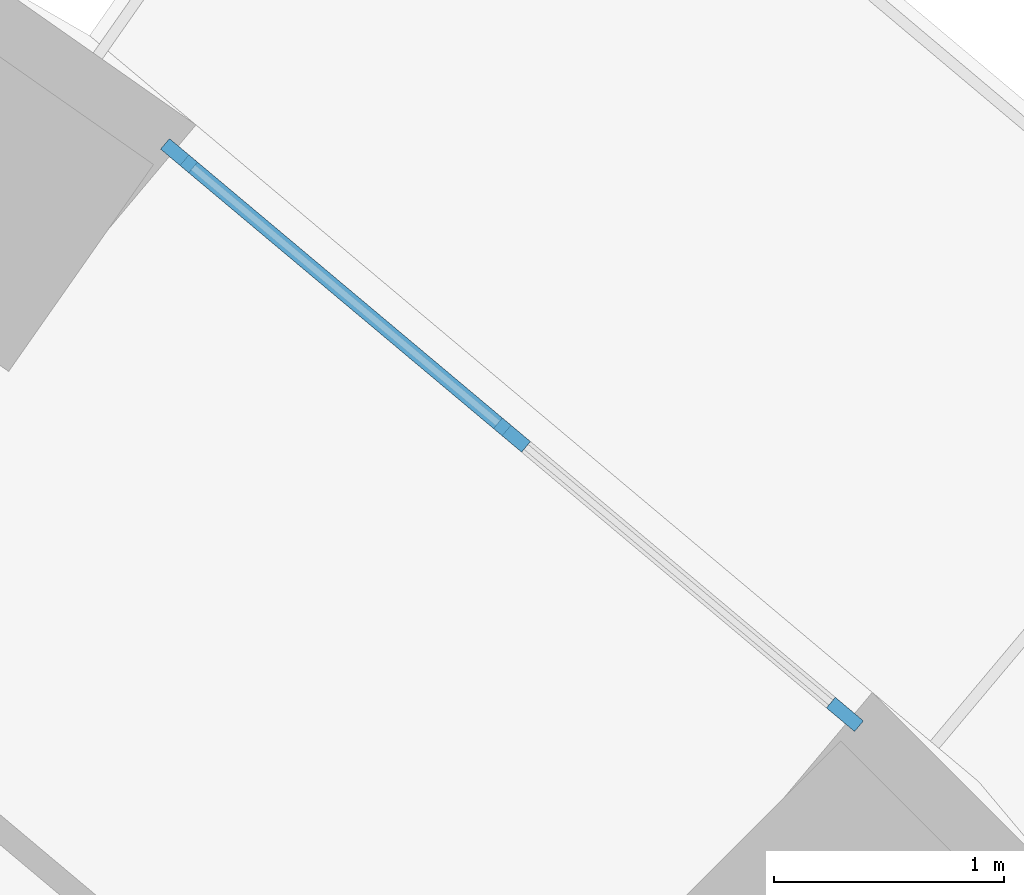
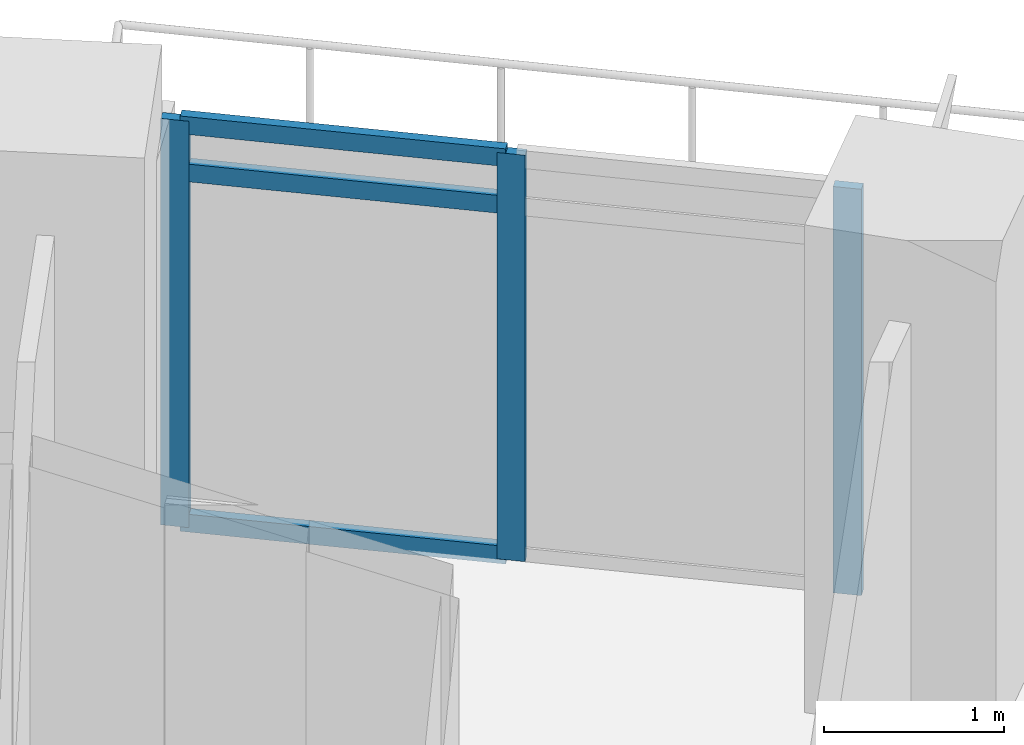
# One storey, part 2 of 15: 6 members, 1 element without a shape of its own.
"""IFC4 building model written with IfcOpenShell, lengths in metres."""

from ifc_helpers import new_model, si_unit, direction, frame, origin, origin_2d, place, context, subcontext, project, spatial, rectangle, extrude, material, layer, layer_set, material_profile, profile_set, type_object, element, aggregate, save


model = new_model("IFC4")

# Units and contexts
model_context = context("Model", 3, precision=1e-05, world=origin(), true_north=direction((0.0, 1.0)))
body_context = subcontext(model_context, "Body", "Model", "MODEL_VIEW")
ifc_project = project(units=[si_unit("LENGTHUNIT", "METRE"), si_unit("AREAUNIT", "SQUARE_METRE"), si_unit("VOLUMEUNIT", "CUBIC_METRE"), si_unit("PLANEANGLEUNIT", "RADIAN"), si_unit("MASSUNIT", "GRAM", prefix="KILO")], contexts=[model_context])

# Site, building, storey
site_placement = place(None, origin())
site = spatial("IfcSite", under=ifc_project, at=site_placement, CompositionType="ELEMENT")
building_placement = place(site_placement, origin())
building = spatial("IfcBuilding", under=site, at=building_placement, Name="Saqina Gate Tower", CompositionType="ELEMENT")
storey_placement = place(building_placement, frame((0.0, 0.0, 59.300048828125)))
storey = spatial("IfcBuildingStorey", under=building, at=storey_placement, Name="L16", CompositionType="ELEMENT", Elevation=59.300048828125)

# Curtain wall, members
ifc_material_1 = material(Name="Aluminium glazing", Category="aluminium")
ifc_layer = layer(ifc_material_1, 0.159912109375)
ifc_layer_set = layer_set([ifc_layer], Name="CWT-4")
curtain_wall_type = type_object("IfcCurtainWallType", Name="CWT-4", PredefinedType="NOTDEFINED", material=ifc_layer_set)
curtain_wall_placement = place(storey_placement, origin())
curtain_wall = element("IfcCurtainWall", 1, at=curtain_wall_placement, inside=storey, type_object=curtain_wall_type, Name="Terrace lounge glazing facet 5", PredefinedType="NOTDEFINED")
ifc_material_2 = material(Name="Aluminium", Category="aluminium")
ifc_material_profile_1 = material_profile(ifc_material_2, rectangle(XDim=0.06005859375, YDim=0.159912109375, at=origin_2d()), Name="Aluminium 60x160")
ifc_profile_set_1 = profile_set([ifc_material_profile_1], Name="Aluminium")
member_type_1 = type_object("IfcMemberType", Name="CWT-4M", PredefinedType="MULLION", material=ifc_profile_set_1)
member_1_placement = place(storey_placement, frame((19.923583984375, 20.799072265625, 0.0), z_axis=(0.0, 0.0, 1.0), x_axis=(-0.642791970033, -0.766040784332, 0.0)))
member_1 = element("IfcMember", 2, at=member_1_placement, type_object=member_type_1, Name="CW4-05 mullion 1", PredefinedType="MULLION", context=body_context, shape_type="SweptSolid", body=[
    extrude(rectangle(XDim=0.06005859375, YDim=0.159912109375, at=origin_2d()), origin(), (0.0, 0.0, 1.0), 2.75),
])
member_2_placement = place(storey_placement, frame((18.473388671875, 22.015869140625, 0.0), z_axis=(0.0, 0.0, 1.0), x_axis=(-0.642791970033, -0.766040784332, 0.0)))
member_2 = element("IfcMember", 3, at=member_2_placement, type_object=member_type_1, Name="CW4-05 mullion 2", PredefinedType="MULLION", context=body_context, shape_type="SweptSolid", body=[
    extrude(rectangle(XDim=0.06005859375, YDim=0.159912109375, at=origin_2d()), origin(), (0.0, 0.0, 1.0), 2.75),
])
member_3_placement = place(storey_placement, frame((17.0234375, 23.232666015625, 0.0), z_axis=(0.0, 0.0, 1.0), x_axis=(-0.642791970033, -0.766040784332, 0.0)))
member_3 = element("IfcMember", 4, at=member_3_placement, type_object=member_type_1, Name="CW4-05 mullion 3", PredefinedType="MULLION", context=body_context, shape_type="SweptSolid", body=[
    extrude(rectangle(XDim=0.06005859375, YDim=0.159912109375, at=origin_2d()), origin(), (0.0, 0.0, 1.0), 2.75),
])
ifc_material_3 = material(Name="Aluminium", Category="aluminium")
ifc_material_profile_2 = material_profile(ifc_material_3, rectangle(XDim=0.06005859375, YDim=0.1201171875, at=origin_2d()), Name="Aluminium 60x120")
ifc_profile_set_2 = profile_set([ifc_material_profile_2], Name="Aluminium")
member_type_2 = type_object("IfcMemberType", Name="CWT-4T", PredefinedType="USERDEFINED", material=ifc_profile_set_2)
member_4_placement = place(storey_placement, frame((18.450439453125, 22.03515625, 0.030029296875), z_axis=(-0.766022272785, 0.642814030336, 0.0), x_axis=(-0.642814030336, -0.766022272785, 0.0)))
member_4 = element("IfcMember", 5, at=member_4_placement, type_object=member_type_2, Name="CW4-05 transom 2.1", ObjectType="TRANSOM", PredefinedType="USERDEFINED", context=body_context, shape_type="SweptSolid", body=[
    extrude(rectangle(XDim=0.06005859375, YDim=0.1201171875, at=origin_2d()), origin(), (0.0, 0.0, 1.0), 1.8330078125),
])
member_5_placement = place(storey_placement, frame((18.450439453125, 22.03515625, 2.39990234375), z_axis=(-0.766022272785, 0.642814030336, 0.0), x_axis=(-0.642814030336, -0.766022272785, 0.0)))
member_5 = element("IfcMember", 6, at=member_5_placement, type_object=member_type_2, Name="CW4-05 transom 2.2", ObjectType="TRANSOM", PredefinedType="USERDEFINED", context=body_context, shape_type="SweptSolid", body=[
    extrude(rectangle(XDim=0.06005859375, YDim=0.1201171875, at=origin_2d()), origin(), (0.0, 0.0, 1.0), 1.8330078125),
])
member_6_placement = place(storey_placement, frame((18.450439453125, 22.03515625, 2.719970703125), z_axis=(-0.766022272785, 0.642814030336, 0.0), x_axis=(-0.642814030336, -0.766022272785, 0.0)))
member_6 = element("IfcMember", 7, at=member_6_placement, type_object=member_type_2, Name="CW4-05 transom 2.3", ObjectType="TRANSOM", PredefinedType="USERDEFINED", context=body_context, shape_type="SweptSolid", body=[
    extrude(rectangle(XDim=0.06005859375, YDim=0.1201171875, at=origin_2d()), origin(), (0.0, 0.0, 1.0), 1.8330078125),
])
aggregate(curtain_wall, [member_1, member_2, member_3, member_4, member_5, member_6])

save(model, "model.ifc")
